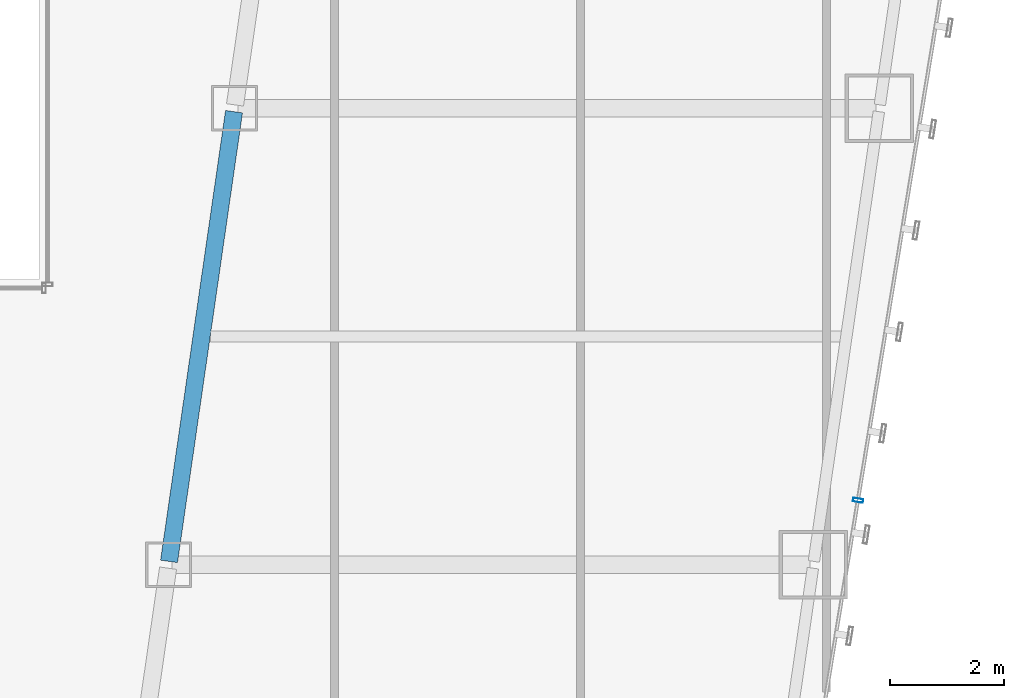
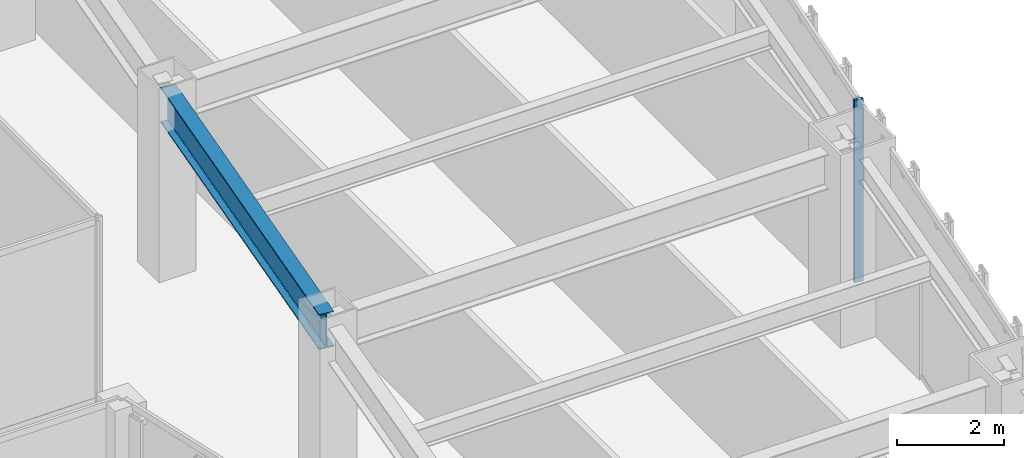
# One storey, part 17 of 47: 1 beam, 1 member, 1 element without a shape of its own.
"""IFC4 building model written with IfcOpenShell, lengths in metres."""

from ifc_helpers import new_model, si_unit, direction, frame, origin, origin_2d, place, context, subcontext, project, spatial, hollow_rectangle, i_section, extrude, material, material_profile, profile_set, type_object, element, aggregate, save


model = new_model("IFC4")

# Units and contexts
model_context = context("Model", 3, precision=1e-05, world=origin(), true_north=direction((0.0, 1.0)))
body_context = subcontext(model_context, "Body", "Model", "MODEL_VIEW")
ifc_project = project(units=[si_unit("LENGTHUNIT", "METRE"), si_unit("AREAUNIT", "SQUARE_METRE"), si_unit("VOLUMEUNIT", "CUBIC_METRE"), si_unit("PLANEANGLEUNIT", "RADIAN"), si_unit("MASSUNIT", "GRAM", prefix="KILO")], contexts=[model_context])

# Site, building, storey
site_placement = place(None, origin())
site = spatial("IfcSite", under=ifc_project, at=site_placement, CompositionType="ELEMENT")
building_placement = place(site_placement, origin())
building = spatial("IfcBuilding", under=site, at=building_placement, Name="Saevonmaru Cultural Tower", CompositionType="ELEMENT")
storey_placement = place(building_placement, frame((0.0, 0.0, 60.39990234375)))
storey = spatial("IfcBuildingStorey", under=building, at=storey_placement, Name="L12", CompositionType="ELEMENT", Elevation=60.39990234375)

# Beam
ifc_material_1 = material(Name="Steel SM420", Category="steel")
ifc_material_profile_1 = material_profile(ifc_material_1, i_section(OverallWidth=0.300048828125, OverallDepth=0.800048828125, WebThickness=0.013916015625, FlangeThickness=0.02587890625, FilletRadius=0.028076171875, at=origin_2d()), Name="H-800x300x14x26")
ifc_profile_set_1 = profile_set([ifc_material_profile_1], Name="Steel SM420")
beam_type = type_object("IfcBeamType", Name="BM-G-H800", PredefinedType="BEAM", material=ifc_profile_set_1)
beam_placement = place(storey_placement, frame((38.08056640625, 16.059326171875, 3.75), z_axis=(0.143022161059, 0.989719486241, 0.0), x_axis=(-0.989719486241, 0.143022161059, 0.0)))
element("IfcBeam", 1, at=beam_placement, inside=storey, type_object=beam_type, Name="L12 East Atrium Girder 3", PredefinedType="BEAM", context=body_context, shape_type="SweptSolid", body=[
    extrude(i_section(OverallWidth=0.300048828125, OverallDepth=0.800048828125, WebThickness=0.013916015625, FlangeThickness=0.02587890625, FilletRadius=0.028076171875, at=origin_2d()), origin(), (0.0, 0.0, 1.0), 7.963134765625),
])

# Curtain wall, member
ifc_material_2 = material(Name="Satin Bronze Anodised Aluminium", Category="aluminium")
curtain_wall_type = type_object("IfcCurtainWallType", Name="CW-TYP-A", PredefinedType="NOTDEFINED", material=ifc_material_2)
curtain_wall_placement = place(storey_placement, origin())
curtain_wall = element("IfcCurtainWall", 2, at=curtain_wall_placement, inside=storey, type_object=curtain_wall_type, Name="L12 Unitised Curtain Wall E8", PredefinedType="NOTDEFINED")
ifc_material_profile_2 = material_profile(ifc_material_2, hollow_rectangle(XDim=0.06494140625, YDim=0.179931640625, WallThickness=0.00390625, at=origin_2d()), Name="ALU-MULL-180x65x4")
ifc_profile_set_2 = profile_set([ifc_material_profile_2], Name="Satin Bronze Anodised Aluminium")
member_type = type_object("IfcMemberType", Name="ML-CW-180x65", PredefinedType="MULLION", material=ifc_profile_set_2)
member_placement = place(storey_placement, frame((50.15478515625, 17.129638671875, 0.0), z_axis=(0.0, 0.0, 1.0), x_axis=(0.161708868641, 0.986838508472, 0.0)))
member = element("IfcMember", 3, at=member_placement, type_object=member_type, Name="CW-TW-L12-E8 mullion 2", PredefinedType="MULLION", context=body_context, shape_type="SweptSolid", body=[
    extrude(hollow_rectangle(XDim=0.06494140625, YDim=0.179931640625, WallThickness=0.00390625, at=origin_2d()), origin(), (0.0, 0.0, 1.0), 4.150146484375),
])
aggregate(curtain_wall, [member])

save(model, "model.ifc")
